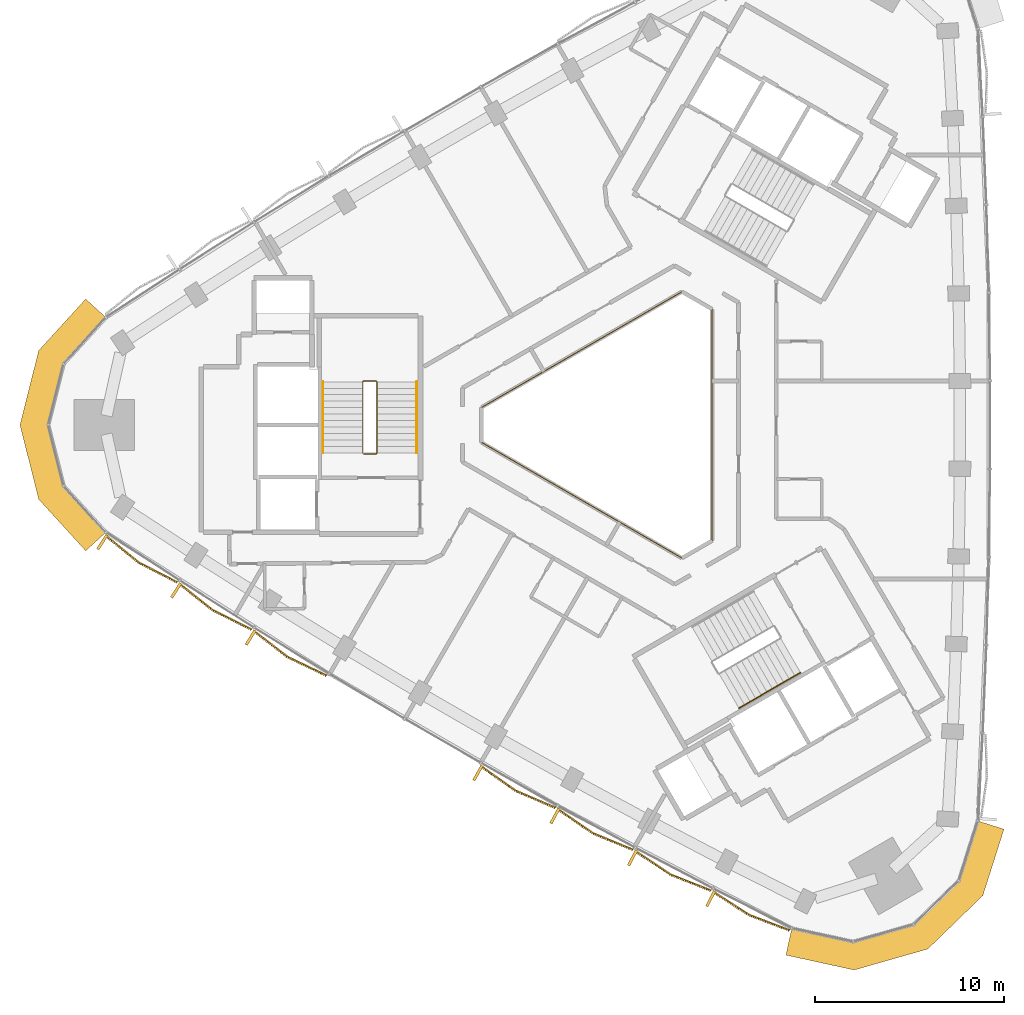
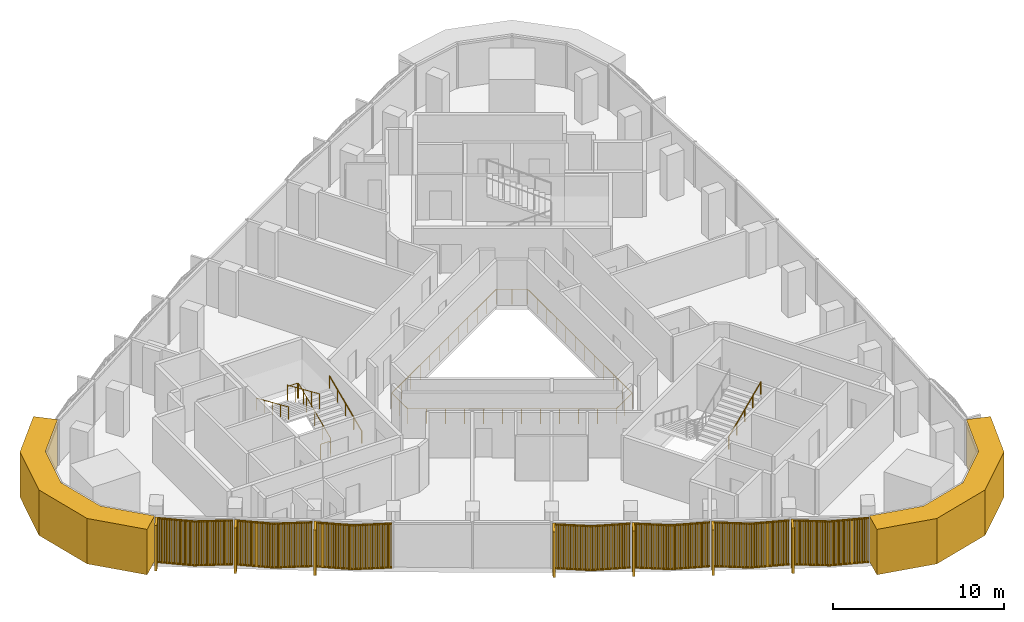
# One storey, part 11 of 13: 9 coverings, 5 railings.
"""IFC4 building model written with IfcOpenShell, lengths in metres."""

from ifc_helpers import new_model, si_unit, direction, frame, frame_2d, origin, origin_2d, place, context, subcontext, project, spatial, polyline, rectangle, circle, outline, extrude, source, transform, mapped, material, layer, layer_set, type_object, element, save


model = new_model("IFC4")

# Units and contexts
model_context = context("Model", 3, precision=1e-05, world=origin(), true_north=direction((0.0, 1.0)))
body_context = subcontext(model_context, "Body", "Model", "MODEL_VIEW")
ifc_project = project(units=[si_unit("LENGTHUNIT", "METRE"), si_unit("AREAUNIT", "SQUARE_METRE"), si_unit("VOLUMEUNIT", "CUBIC_METRE"), si_unit("PLANEANGLEUNIT", "RADIAN"), si_unit("MASSUNIT", "GRAM", prefix="KILO")], contexts=[model_context])

# Site, building, storey
site_placement = place(None, origin())
site = spatial("IfcSite", under=ifc_project, at=site_placement, CompositionType="ELEMENT")
building_placement = place(site_placement, origin())
building = spatial("IfcBuilding", under=site, at=building_placement, Name="Tamra Quay Hotel Tower", CompositionType="ELEMENT")
storey_placement = place(building_placement, frame((0.0, 0.0, 182.800048828125)))
storey = spatial("IfcBuildingStorey", under=building, at=storey_placement, Name="L45", CompositionType="ELEMENT", Elevation=182.800048828125)

# Coverings
ifc_material_1 = material(Name="Precast concrete M60 terracotta-coloured", Category="masonry")
ifc_layer = layer(ifc_material_1, 1.449951171875)
ifc_layer_set = layer_set([ifc_layer], Name="CORNER PIER PANEL")
covering_type_1 = type_object("IfcCoveringType", Name="CORNER PIER PANEL", PredefinedType="CLADDING", material=ifc_layer_set)
covering_1_placement = place(storey_placement, origin())
element("IfcCovering", 1, at=covering_1_placement, inside=storey, type_object=covering_type_1, Name="Corner pier L45.north-west", PredefinedType="CLADDING", context=body_context, shape_type="SweptSolid", body=[
    extrude(outline(polyline([(-27.48046875, 5.68701171875), (-28.55224609375, 6.663818359375), (-31.038818359375, 3.934326171875), (-32.028076171875, 0.0), (-31.038818359375, -3.934326171875), (-28.55224609375, -6.663818359375), (-27.48046875, -5.68701171875), (-29.7216796875, -3.227294921875), (-30.532958984375, 0.0), (-29.7216796875, 3.227294921875), (-27.48046875, 5.68701171875)])), origin(), (0.0, 0.0, 1.0), 3.25),
])
covering_2_placement = place(storey_placement, origin())
element("IfcCovering", 2, at=covering_2_placement, inside=storey, type_object=covering_type_1, Name="Corner pier L45.south-west", PredefinedType="CLADDING", context=body_context, shape_type="SweptSolid", body=[
    extrude(outline(polyline([(8.81494140625, -26.642333984375), (8.505126953125, -28.058837890625), (12.1123046875, -28.84765625), (16.013916015625, -27.737060546875), (18.9267578125, -24.913330078125), (20.047119140625, -21.39501953125), (18.665283203125, -20.955078125), (17.65576171875, -24.1259765625), (15.2666015625, -26.4423828125), (12.06591796875, -27.353271484375), (8.81494140625, -26.642333984375)])), origin(), (0.0, 0.0, 1.0), 3.25),
])

# Railings
ifc_material_2 = material(Name="Guard atrium edge 1100")
railing_type_1 = type_object("IfcRailingType", Name="Guard atrium edge 1100", PredefinedType="GUARDRAIL", material=ifc_material_2)
railing_1_placement = place(storey_placement, frame((4.60009765625, -6.1201171875, 0.0)))
element("IfcRailing", 3, at=railing_1_placement, inside=storey, type_object=railing_type_1, Name="G-A", PredefinedType="GUARDRAIL", context=body_context, shape_type="SweptSolid", body=[
    extrude(circle(Radius=0.02392578125, at=origin_2d()), frame((0.0, 0.0, 1.076171875), z_axis=(-0.86602275259, -0.500004591975, 0.0), x_axis=(0.500004591975, -0.86602275259, 0.0)), (0.0, 0.0, 1.0), 1.84765625),
    extrude(circle(Radius=0.02392578125, at=origin_2d()), frame((-1.60009765625, -0.923828125, 1.076171875), z_axis=(-0.866028806638, 0.499994106039, 0.0), x_axis=(-0.499994106039, -0.866028806638, 0.0)), (0.0, 0.0, 1.0), 12.239990234375),
    extrude(circle(Radius=0.02392578125, at=origin_2d()), frame((-12.2001953125, 5.196044921875, 1.076171875), z_axis=(0.0, 1.0, 0.0), x_axis=(-1.0, 0.0, 0.0)), (0.0, 0.0, 1.0), 1.84814453125),
    extrude(circle(Radius=0.02392578125, at=origin_2d()), frame((-12.2001953125, 7.044189453125, 1.076171875), z_axis=(0.866028806638, 0.499994106039, 0.0), x_axis=(-0.499994106039, 0.866028806638, 0.0)), (0.0, 0.0, 1.0), 12.239990234375),
    extrude(circle(Radius=0.02392578125, at=origin_2d()), frame((-1.60009765625, 13.1640625, 1.076171875), z_axis=(0.86602275259, -0.500004591975, 0.0), x_axis=(0.500004591975, 0.86602275259, 0.0)), (0.0, 0.0, 1.0), 1.84765625),
    extrude(circle(Radius=0.02392578125, at=origin_2d()), frame((0.0, 12.240234375, 1.076171875), z_axis=(0.0, -1.0, 0.0), x_axis=(1.0, 0.0, 0.0)), (0.0, 0.0, 1.0), 12.240234375),
    extrude(circle(Radius=0.02099609375, at=origin_2d()), origin(), (0.0, 0.0, 1.0), 1.052001953125),
    extrude(circle(Radius=0.02099609375, at=origin_2d()), frame((-0.800048828125, -0.4619140625, 0.0)), (0.0, 0.0, 1.0), 1.052001953125),
    extrude(circle(Radius=0.02099609375, at=origin_2d()), frame((-1.60009765625, -0.923828125, 0.0)), (0.0, 0.0, 1.0), 1.052001953125),
    extrude(circle(Radius=0.02099609375, at=origin_2d()), frame((-2.563720703125, -0.367431640625, 0.0)), (0.0, 0.0, 1.0), 1.052001953125),
    extrude(circle(Radius=0.02099609375, at=origin_2d()), frame((-3.52734375, 0.18896484375, 0.0)), (0.0, 0.0, 1.0), 1.052001953125),
    extrude(circle(Radius=0.02099609375, at=origin_2d()), frame((-4.490966796875, 0.7451171875, 0.0)), (0.0, 0.0, 1.0), 1.052001953125),
    extrude(circle(Radius=0.02099609375, at=origin_2d()), frame((-5.45458984375, 1.301513671875, 0.0)), (0.0, 0.0, 1.0), 1.052001953125),
    extrude(circle(Radius=0.02099609375, at=origin_2d()), frame((-6.418212890625, 1.85791015625, 0.0)), (0.0, 0.0, 1.0), 1.052001953125),
    extrude(circle(Radius=0.02099609375, at=origin_2d()), frame((-7.382080078125, 2.414306640625, 0.0)), (0.0, 0.0, 1.0), 1.052001953125),
    extrude(circle(Radius=0.02099609375, at=origin_2d()), frame((-8.345703125, 2.970703125, 0.0)), (0.0, 0.0, 1.0), 1.052001953125),
    extrude(circle(Radius=0.02099609375, at=origin_2d()), frame((-9.309326171875, 3.527099609375, 0.0)), (0.0, 0.0, 1.0), 1.052001953125),
    extrude(circle(Radius=0.02099609375, at=origin_2d()), frame((-10.27294921875, 4.083251953125, 0.0)), (0.0, 0.0, 1.0), 1.052001953125),
    extrude(circle(Radius=0.02099609375, at=origin_2d()), frame((-11.236572265625, 4.6396484375, 0.0)), (0.0, 0.0, 1.0), 1.052001953125),
    extrude(circle(Radius=0.02099609375, at=origin_2d()), frame((-12.2001953125, 5.196044921875, 0.0)), (0.0, 0.0, 1.0), 1.052001953125),
    extrude(circle(Radius=0.02099609375, at=origin_2d()), frame((-12.2001953125, 6.1201171875, 0.0)), (0.0, 0.0, 1.0), 1.052001953125),
    extrude(circle(Radius=0.02099609375, at=origin_2d()), frame((-12.2001953125, 7.044189453125, 0.0)), (0.0, 0.0, 1.0), 1.052001953125),
    extrude(circle(Radius=0.02099609375, at=origin_2d()), frame((-11.236572265625, 7.6005859375, 0.0)), (0.0, 0.0, 1.0), 1.052001953125),
    extrude(circle(Radius=0.02099609375, at=origin_2d()), frame((-10.27294921875, 8.156982421875, 0.0)), (0.0, 0.0, 1.0), 1.052001953125),
    extrude(circle(Radius=0.02099609375, at=origin_2d()), frame((-9.309326171875, 8.713134765625, 0.0)), (0.0, 0.0, 1.0), 1.052001953125),
    extrude(circle(Radius=0.02099609375, at=origin_2d()), frame((-8.345703125, 9.26953125, 0.0)), (0.0, 0.0, 1.0), 1.052001953125),
    extrude(circle(Radius=0.02099609375, at=origin_2d()), frame((-7.382080078125, 9.825927734375, 0.0)), (0.0, 0.0, 1.0), 1.052001953125),
    extrude(circle(Radius=0.02099609375, at=origin_2d()), frame((-6.418212890625, 10.38232421875, 0.0)), (0.0, 0.0, 1.0), 1.052001953125),
    extrude(circle(Radius=0.02099609375, at=origin_2d()), frame((-5.45458984375, 10.938720703125, 0.0)), (0.0, 0.0, 1.0), 1.052001953125),
    extrude(circle(Radius=0.02099609375, at=origin_2d()), frame((-4.490966796875, 11.4951171875, 0.0)), (0.0, 0.0, 1.0), 1.052001953125),
    extrude(circle(Radius=0.02099609375, at=origin_2d()), frame((-3.52734375, 12.05126953125, 0.0)), (0.0, 0.0, 1.0), 1.052001953125),
    extrude(circle(Radius=0.02099609375, at=origin_2d()), frame((-2.563720703125, 12.607666015625, 0.0)), (0.0, 0.0, 1.0), 1.052001953125),
    extrude(circle(Radius=0.02099609375, at=origin_2d()), frame((-1.60009765625, 13.1640625, 0.0)), (0.0, 0.0, 1.0), 1.052001953125),
    extrude(circle(Radius=0.02099609375, at=origin_2d()), frame((-0.800048828125, 12.7021484375, 0.0)), (0.0, 0.0, 1.0), 1.052001953125),
    extrude(circle(Radius=0.02099609375, at=origin_2d()), frame((0.0, 12.240234375, 0.0)), (0.0, 0.0, 1.0), 1.052001953125),
    extrude(circle(Radius=0.02099609375, at=origin_2d()), frame((0.0, 11.12744140625, 0.0)), (0.0, 0.0, 1.0), 1.052001953125),
    extrude(circle(Radius=0.02099609375, at=origin_2d()), frame((0.0, 10.0146484375, 0.0)), (0.0, 0.0, 1.0), 1.052001953125),
    extrude(circle(Radius=0.02099609375, at=origin_2d()), frame((0.0, 8.902099609375, 0.0)), (0.0, 0.0, 1.0), 1.052001953125),
    extrude(circle(Radius=0.02099609375, at=origin_2d()), frame((0.0, 7.789306640625, 0.0)), (0.0, 0.0, 1.0), 1.052001953125),
    extrude(circle(Radius=0.02099609375, at=origin_2d()), frame((0.0, 6.676513671875, 0.0)), (0.0, 0.0, 1.0), 1.052001953125),
    extrude(circle(Radius=0.02099609375, at=origin_2d()), frame((0.0, 5.563720703125, 0.0)), (0.0, 0.0, 1.0), 1.052001953125),
    extrude(circle(Radius=0.02099609375, at=origin_2d()), frame((0.0, 4.450927734375, 0.0)), (0.0, 0.0, 1.0), 1.052001953125),
    extrude(circle(Radius=0.02099609375, at=origin_2d()), frame((0.0, 3.338134765625, 0.0)), (0.0, 0.0, 1.0), 1.052001953125),
    extrude(circle(Radius=0.02099609375, at=origin_2d()), frame((0.0, 2.2255859375, 0.0)), (0.0, 0.0, 1.0), 1.052001953125),
    extrude(circle(Radius=0.02099609375, at=origin_2d()), frame((0.0, 1.11279296875, 0.0)), (0.0, 0.0, 1.0), 1.052001953125),
])
ifc_material_3 = material(Name="Stair guard 1100")
railing_type_2 = type_object("IfcRailingType", Name="Stair guard 1100", PredefinedType="GUARDRAIL", material=ifc_material_3)
railing_2_placement = place(storey_placement, frame((-13.84130859375, -1.530029296875, 0.0)))
element("IfcRailing", 4, at=railing_2_placement, inside=storey, type_object=railing_type_2, Name="GR", PredefinedType="GUARDRAIL", context=body_context, shape_type="SweptSolid", body=[
    extrude(circle(Radius=0.02392578125, at=origin_2d()), frame((0.0, 0.0, 1.076171875), z_axis=(1.0, 0.0, 0.0), x_axis=(0.0, 1.0, 0.0)), (0.0, 0.0, 1.0), 0.658935546875),
    extrude(circle(Radius=0.02392578125, at=origin_2d()), frame((0.658935546875, 0.0, 1.076171875), z_axis=(0.301912943143, 0.301912943143, 0.904266083366), x_axis=(-0.707106781187, 0.707106781187, 0.0)), (0.0, 0.0, 1.0), 0.165771484375),
    extrude(circle(Radius=0.02392578125, at=origin_2d()), frame((0.708984375, 0.050048828125, 1.22607421875), z_axis=(0.0, 0.915773634228, 0.401694723457), x_axis=(-1.0, 0.0, 0.0)), (0.0, 0.0, 1.0), 4.10791015625),
    extrude(circle(Radius=0.02392578125, at=origin_2d()), frame((0.708984375, 3.81201171875, 2.8759765625), z_axis=(-0.708833529934, 0.705375805398, 0.0), x_axis=(-0.705375805398, -0.708833529934, 0.0)), (0.0, 0.0, 1.0), 0.070556640625),
    extrude(circle(Radius=0.02392578125, at=origin_2d()), frame((0.658935546875, 3.86181640625, 2.8759765625), z_axis=(-1.0, 0.0, 0.0), x_axis=(0.0, -1.0, 0.0)), (0.0, 0.0, 1.0), 0.658935546875),
    extrude(circle(Radius=0.02392578125, at=origin_2d()), frame((0.0, 3.86181640625, 2.8759765625), z_axis=(-0.302046947789, -0.300573548044, 0.904667443621), x_axis=(0.705375805398, -0.708833529934, 0.0)), (0.0, 0.0, 1.0), 0.165771484375),
    extrude(circle(Radius=0.02392578125, at=origin_2d()), frame((-0.050048828125, 3.81201171875, 3.02587890625), z_axis=(0.0, -0.915795495799, 0.401644880304), x_axis=(1.0, 0.0, 0.0)), (0.0, 0.0, 1.0), 4.10791015625),
    extrude(circle(Radius=0.02099609375, at=origin_2d()), origin(), (0.0, 0.0, 1.0), 1.052001953125),
    extrude(circle(Radius=0.02099609375, at=origin_2d()), frame((0.658935546875, 0.0, 0.0)), (0.0, 0.0, 1.0), 1.052001953125),
    extrude(circle(Radius=0.02099609375, at=origin_2d()), frame((0.708984375, 0.050048828125, 0.14990234375)), (0.0, 0.0, 1.0), 1.052001953125),
    extrude(circle(Radius=0.02099609375, at=origin_2d()), frame((0.708984375, 0.990478515625, 0.5625)), (0.0, 0.0, 1.0), 1.052001953125),
    extrude(circle(Radius=0.02099609375, at=origin_2d()), frame((0.708984375, 1.93115234375, 0.97509765625)), (0.0, 0.0, 1.0), 1.052001953125),
    extrude(circle(Radius=0.02099609375, at=origin_2d()), frame((0.708984375, 2.87158203125, 1.387451171875)), (0.0, 0.0, 1.0), 1.052001953125),
    extrude(circle(Radius=0.02099609375, at=origin_2d()), frame((0.708984375, 3.81201171875, 1.800048828125)), (0.0, 0.0, 1.0), 1.052001953125),
    extrude(circle(Radius=0.02099609375, at=origin_2d()), frame((0.658935546875, 3.86181640625, 1.800048828125)), (0.0, 0.0, 1.0), 1.052001953125),
    extrude(circle(Radius=0.02099609375, at=origin_2d()), frame((0.0, 3.86181640625, 1.800048828125)), (0.0, 0.0, 1.0), 1.052001953125),
    extrude(circle(Radius=0.02099609375, at=origin_2d()), frame((-0.050048828125, 3.81201171875, 1.949951171875)), (0.0, 0.0, 1.0), 1.052001953125),
    extrude(circle(Radius=0.02099609375, at=origin_2d()), frame((-0.050048828125, 2.87158203125, 2.3623046875)), (0.0, 0.0, 1.0), 1.052001953125),
    extrude(circle(Radius=0.02099609375, at=origin_2d()), frame((-0.050048828125, 1.93115234375, 2.77490234375)), (0.0, 0.0, 1.0), 1.052001953125),
    extrude(circle(Radius=0.02099609375, at=origin_2d()), frame((-0.050048828125, 0.990478515625, 3.1875)), (0.0, 0.0, 1.0), 1.052001953125),
    extrude(circle(Radius=0.02099609375, at=origin_2d()), frame((-0.050048828125, 0.050048828125, 3.599853515625)), (0.0, 0.0, 1.0), 1.052001953125),
])
ifc_material_4 = material(Name="Stair handrail 900")
railing_type_3 = type_object("IfcRailingType", Name="Stair handrail 900", PredefinedType="HANDRAIL", material=ifc_material_4)
railing_3_placement = place(storey_placement, frame((-11.0322265625, -1.47998046875, 0.14990234375)))
element("IfcRailing", 5, at=railing_3_placement, inside=storey, type_object=railing_type_3, Name="HR", PredefinedType="HANDRAIL", context=body_context, shape_type="SweptSolid", body=[
    extrude(circle(Radius=0.02392578125, at=origin_2d()), frame((0.0, 0.0, 0.8759765625), z_axis=(0.0, 0.915773634228, 0.401694723457), x_axis=(-1.0, 0.0, 0.0)), (0.0, 0.0, 1.0), 4.10791015625),
    extrude(circle(Radius=0.02099609375, at=origin_2d()), origin(), (0.0, 0.0, 1.0), 0.851806640625),
    extrude(circle(Radius=0.02099609375, at=origin_2d()), frame((0.0, 0.9404296875, 0.41259765625)), (0.0, 0.0, 1.0), 0.851806640625),
    extrude(circle(Radius=0.02099609375, at=origin_2d()), frame((0.0, 1.880859375, 0.8251953125)), (0.0, 0.0, 1.0), 0.851806640625),
    extrude(circle(Radius=0.02099609375, at=origin_2d()), frame((0.0, 2.821533203125, 1.237548828125)), (0.0, 0.0, 1.0), 0.851806640625),
    extrude(circle(Radius=0.02099609375, at=origin_2d()), frame((0.0, 3.761962890625, 1.650146484375)), (0.0, 0.0, 1.0), 0.851806640625),
])
railing_4_placement = place(storey_placement, frame((-15.9912109375, 2.281982421875, 1.949951171875)))
element("IfcRailing", 6, at=railing_4_placement, inside=storey, type_object=railing_type_3, Name="HR", PredefinedType="HANDRAIL", context=body_context, shape_type="SweptSolid", body=[
    extrude(circle(Radius=0.02392578125, at=origin_2d()), frame((0.0, 0.0, 0.8759765625), z_axis=(0.0, -0.915795495799, 0.401644880304), x_axis=(1.0, 0.0, 0.0)), (0.0, 0.0, 1.0), 4.10791015625),
    extrude(circle(Radius=0.02099609375, at=origin_2d()), origin(), (0.0, 0.0, 1.0), 0.851806640625),
    extrude(circle(Radius=0.02099609375, at=origin_2d()), frame((0.0, -0.9404296875, 0.41259765625)), (0.0, 0.0, 1.0), 0.851806640625),
    extrude(circle(Radius=0.02099609375, at=origin_2d()), frame((0.0, -1.880859375, 0.824951171875)), (0.0, 0.0, 1.0), 0.851806640625),
    extrude(circle(Radius=0.02099609375, at=origin_2d()), frame((0.0, -2.821533203125, 1.2373046875)), (0.0, 0.0, 1.0), 0.851806640625),
    extrude(circle(Radius=0.02099609375, at=origin_2d()), frame((0.0, -3.761962890625, 1.64990234375)), (0.0, 0.0, 1.0), 0.851806640625),
])
railing_5_placement = place(storey_placement, frame((6.01953125, -14.98974609375, 1.949951171875)))
element("IfcRailing", 7, at=railing_5_placement, inside=storey, type_object=railing_type_3, Name="HR", PredefinedType="HANDRAIL", context=body_context, shape_type="SweptSolid", body=[
    extrude(circle(Radius=0.02392578125, at=origin_2d()), frame((0.0, 0.0, 0.8759765625), z_axis=(0.79310004713, 0.457886897714, 0.401661429744), x_axis=(-0.499992114976, 0.866029956157, 0.0)), (0.0, 0.0, 1.0), 4.107666015625),
    extrude(circle(Radius=0.02099609375, at=origin_2d()), origin(), (0.0, 0.0, 1.0), 0.851806640625),
    extrude(circle(Radius=0.02099609375, at=origin_2d()), frame((0.814453125, 0.47021484375, 0.41259765625)), (0.0, 0.0, 1.0), 0.851806640625),
    extrude(circle(Radius=0.02099609375, at=origin_2d()), frame((1.62890625, 0.9404296875, 0.824951171875)), (0.0, 0.0, 1.0), 0.851806640625),
    extrude(circle(Radius=0.02099609375, at=origin_2d()), frame((2.443359375, 1.41064453125, 1.2373046875)), (0.0, 0.0, 1.0), 0.851806640625),
    extrude(circle(Radius=0.02099609375, at=origin_2d()), frame((3.2578125, 1.880859375, 1.64990234375)), (0.0, 0.0, 1.0), 0.851806640625),
])

# Coverings
ifc_material_5 = material(Name="Terracotta baguette extruded", Category="masonry")
covering_type_2 = type_object("IfcCoveringType", Name="BAGUETTE SCREEN SW-V H3250", PredefinedType="USERDEFINED", material=ifc_material_5)
shared_shape = source(origin(), body_context, "Body", "SweptSolid", [
    extrude(rectangle(XDim=2.295166015625, YDim=0.06005859375, at=frame_2d((1.1474609375, 0.030029296875))), frame((-2.288818359375, -0.0576171875, -0.1201171875), z_axis=(0.0, 0.0, 1.0), x_axis=(0.994521895368, -0.104528463268, 0.0)), (0.0, 0.0, 1.0), 0.1201171875),
    extrude(rectangle(XDim=2.295166015625, YDim=0.06005859375, at=frame_2d((1.1474609375, 0.030029296875))), frame((-2.288818359375, -0.0576171875, -3.25), z_axis=(0.0, 0.0, 1.0), x_axis=(0.994521895368, -0.104528463268, 0.0)), (0.0, 0.0, 1.0), 0.1201171875),
    extrude(rectangle(XDim=0.070068359375, YDim=0.10009765625, at=frame_2d((0.03515625, 0.050048828125))), frame((-2.267822265625, -0.13330078125, -3.18994140625)), (0.0, 0.0, 1.0), 3.1298828125),
    extrude(rectangle(XDim=0.070068359375, YDim=0.10009765625, at=frame_2d((0.03515625, 0.050048828125))), frame((-2.168701171875, -0.1435546875, -3.18994140625)), (0.0, 0.0, 1.0), 3.1298828125),
    extrude(rectangle(XDim=0.070068359375, YDim=0.10009765625, at=frame_2d((0.03515625, 0.050048828125))), frame((-2.0693359375, -0.154052734375, -3.18994140625)), (0.0, 0.0, 1.0), 3.1298828125),
    extrude(rectangle(XDim=0.070068359375, YDim=0.10009765625, at=frame_2d((0.03515625, 0.050048828125))), frame((-1.97021484375, -0.16455078125, -3.18994140625)), (0.0, 0.0, 1.0), 3.1298828125),
    extrude(rectangle(XDim=0.070068359375, YDim=0.10009765625, at=frame_2d((0.03515625, 0.050048828125))), frame((-1.870849609375, -0.175048828125, -3.18994140625)), (0.0, 0.0, 1.0), 3.1298828125),
    extrude(rectangle(XDim=0.070068359375, YDim=0.10009765625, at=frame_2d((0.03515625, 0.050048828125))), frame((-1.771728515625, -0.185302734375, -3.18994140625)), (0.0, 0.0, 1.0), 3.1298828125),
    extrude(rectangle(XDim=0.070068359375, YDim=0.10009765625, at=frame_2d((0.03515625, 0.050048828125))), frame((-1.67236328125, -0.19580078125, -3.18994140625)), (0.0, 0.0, 1.0), 3.1298828125),
    extrude(rectangle(XDim=0.070068359375, YDim=0.10009765625, at=frame_2d((0.03515625, 0.050048828125))), frame((-1.5732421875, -0.206298828125, -3.18994140625)), (0.0, 0.0, 1.0), 3.1298828125),
    extrude(rectangle(XDim=0.070068359375, YDim=0.10009765625, at=frame_2d((0.03515625, 0.050048828125))), frame((-1.473876953125, -0.216552734375, -3.18994140625)), (0.0, 0.0, 1.0), 3.1298828125),
    extrude(rectangle(XDim=0.070068359375, YDim=0.10009765625, at=frame_2d((0.03515625, 0.050048828125))), frame((-1.374755859375, -0.22705078125, -3.18994140625)), (0.0, 0.0, 1.0), 3.1298828125),
    extrude(rectangle(XDim=0.070068359375, YDim=0.10009765625, at=frame_2d((0.03515625, 0.050048828125))), frame((-1.275390625, -0.237548828125, -3.18994140625)), (0.0, 0.0, 1.0), 3.1298828125),
    extrude(rectangle(XDim=0.070068359375, YDim=0.10009765625, at=frame_2d((0.03515625, 0.050048828125))), frame((-1.17626953125, -0.248046875, -3.18994140625)), (0.0, 0.0, 1.0), 3.1298828125),
    extrude(rectangle(XDim=0.070068359375, YDim=0.10009765625, at=frame_2d((0.03515625, 0.050048828125))), frame((-1.076904296875, -0.25830078125, -3.18994140625)), (0.0, 0.0, 1.0), 3.1298828125),
    extrude(rectangle(XDim=0.070068359375, YDim=0.10009765625, at=frame_2d((0.03515625, 0.050048828125))), frame((-0.977783203125, -0.268798828125, -3.18994140625)), (0.0, 0.0, 1.0), 3.1298828125),
    extrude(rectangle(XDim=0.070068359375, YDim=0.10009765625, at=frame_2d((0.03515625, 0.050048828125))), frame((-0.87841796875, -0.279296875, -3.18994140625)), (0.0, 0.0, 1.0), 3.1298828125),
    extrude(rectangle(XDim=0.070068359375, YDim=0.10009765625, at=frame_2d((0.03515625, 0.050048828125))), frame((-0.779296875, -0.28955078125, -3.18994140625)), (0.0, 0.0, 1.0), 3.1298828125),
    extrude(rectangle(XDim=0.070068359375, YDim=0.10009765625, at=frame_2d((0.03515625, 0.050048828125))), frame((-0.679931640625, -0.300048828125, -3.18994140625)), (0.0, 0.0, 1.0), 3.1298828125),
    extrude(rectangle(XDim=0.070068359375, YDim=0.10009765625, at=frame_2d((0.03515625, 0.050048828125))), frame((-0.580810546875, -0.310546875, -3.18994140625)), (0.0, 0.0, 1.0), 3.1298828125),
    extrude(rectangle(XDim=0.070068359375, YDim=0.10009765625, at=frame_2d((0.03515625, 0.050048828125))), frame((-0.481689453125, -0.321044921875, -3.18994140625)), (0.0, 0.0, 1.0), 3.1298828125),
    extrude(rectangle(XDim=0.070068359375, YDim=0.10009765625, at=frame_2d((0.03515625, 0.050048828125))), frame((-0.38232421875, -0.331298828125, -3.18994140625)), (0.0, 0.0, 1.0), 3.1298828125),
    extrude(rectangle(XDim=0.070068359375, YDim=0.10009765625, at=frame_2d((0.03515625, 0.050048828125))), frame((-0.283203125, -0.341796875, -3.18994140625)), (0.0, 0.0, 1.0), 3.1298828125),
    extrude(rectangle(XDim=0.070068359375, YDim=0.10009765625, at=frame_2d((0.03515625, 0.050048828125))), frame((-0.183837890625, -0.352294921875, -3.18994140625)), (0.0, 0.0, 1.0), 3.1298828125),
    extrude(rectangle(XDim=0.070068359375, YDim=0.10009765625, at=frame_2d((0.03515625, 0.050048828125))), frame((-0.084716796875, -0.36279296875, -3.18994140625)), (0.0, 0.0, 1.0), 3.1298828125),
    extrude(rectangle(XDim=2.295166015625, YDim=0.06005859375, at=frame_2d((1.1474609375, 0.030029296875))), frame((0.00634765625, -0.297607421875, -0.1201171875), z_axis=(0.0, 0.0, 1.0), x_axis=(0.994521895368, 0.104528463268, 0.0)), (0.0, 0.0, 1.0), 0.1201171875),
    extrude(rectangle(XDim=2.295166015625, YDim=0.06005859375, at=frame_2d((1.1474609375, 0.030029296875))), frame((0.00634765625, -0.297607421875, -3.25), z_axis=(0.0, 0.0, 1.0), x_axis=(0.994521895368, 0.104528463268, 0.0)), (0.0, 0.0, 1.0), 0.1201171875),
    extrude(rectangle(XDim=0.070068359375, YDim=0.10009765625, at=frame_2d((0.03515625, 0.050048828125))), frame((0.0146484375, -0.36279296875, -3.18994140625)), (0.0, 0.0, 1.0), 3.1298828125),
    extrude(rectangle(XDim=0.070068359375, YDim=0.10009765625, at=frame_2d((0.03515625, 0.050048828125))), frame((0.11376953125, -0.352294921875, -3.18994140625)), (0.0, 0.0, 1.0), 3.1298828125),
    extrude(rectangle(XDim=0.070068359375, YDim=0.10009765625, at=frame_2d((0.03515625, 0.050048828125))), frame((0.213134765625, -0.341796875, -3.18994140625)), (0.0, 0.0, 1.0), 3.1298828125),
    extrude(rectangle(XDim=0.070068359375, YDim=0.10009765625, at=frame_2d((0.03515625, 0.050048828125))), frame((0.312255859375, -0.331298828125, -3.18994140625)), (0.0, 0.0, 1.0), 3.1298828125),
    extrude(rectangle(XDim=0.070068359375, YDim=0.10009765625, at=frame_2d((0.03515625, 0.050048828125))), frame((0.41162109375, -0.321044921875, -3.18994140625)), (0.0, 0.0, 1.0), 3.1298828125),
    extrude(rectangle(XDim=0.070068359375, YDim=0.10009765625, at=frame_2d((0.03515625, 0.050048828125))), frame((0.5107421875, -0.310546875, -3.18994140625)), (0.0, 0.0, 1.0), 3.1298828125),
    extrude(rectangle(XDim=0.070068359375, YDim=0.10009765625, at=frame_2d((0.03515625, 0.050048828125))), frame((0.610107421875, -0.300048828125, -3.18994140625)), (0.0, 0.0, 1.0), 3.1298828125),
    extrude(rectangle(XDim=0.070068359375, YDim=0.10009765625, at=frame_2d((0.03515625, 0.050048828125))), frame((0.709228515625, -0.28955078125, -3.18994140625)), (0.0, 0.0, 1.0), 3.1298828125),
    extrude(rectangle(XDim=0.070068359375, YDim=0.10009765625, at=frame_2d((0.03515625, 0.050048828125))), frame((0.80859375, -0.279296875, -3.18994140625)), (0.0, 0.0, 1.0), 3.1298828125),
    extrude(rectangle(XDim=0.070068359375, YDim=0.10009765625, at=frame_2d((0.03515625, 0.050048828125))), frame((0.90771484375, -0.268798828125, -3.18994140625)), (0.0, 0.0, 1.0), 3.1298828125),
    extrude(rectangle(XDim=0.070068359375, YDim=0.10009765625, at=frame_2d((0.03515625, 0.050048828125))), frame((1.007080078125, -0.25830078125, -3.18994140625)), (0.0, 0.0, 1.0), 3.1298828125),
    extrude(rectangle(XDim=0.070068359375, YDim=0.10009765625, at=frame_2d((0.03515625, 0.050048828125))), frame((1.106201171875, -0.248046875, -3.18994140625)), (0.0, 0.0, 1.0), 3.1298828125),
    extrude(rectangle(XDim=0.070068359375, YDim=0.10009765625, at=frame_2d((0.03515625, 0.050048828125))), frame((1.20556640625, -0.237548828125, -3.18994140625)), (0.0, 0.0, 1.0), 3.1298828125),
    extrude(rectangle(XDim=0.070068359375, YDim=0.10009765625, at=frame_2d((0.03515625, 0.050048828125))), frame((1.3046875, -0.22705078125, -3.18994140625)), (0.0, 0.0, 1.0), 3.1298828125),
    extrude(rectangle(XDim=0.070068359375, YDim=0.10009765625, at=frame_2d((0.03515625, 0.050048828125))), frame((1.404052734375, -0.216552734375, -3.18994140625)), (0.0, 0.0, 1.0), 3.1298828125),
    extrude(rectangle(XDim=0.070068359375, YDim=0.10009765625, at=frame_2d((0.03515625, 0.050048828125))), frame((1.503173828125, -0.206298828125, -3.18994140625)), (0.0, 0.0, 1.0), 3.1298828125),
    extrude(rectangle(XDim=0.070068359375, YDim=0.10009765625, at=frame_2d((0.03515625, 0.050048828125))), frame((1.6025390625, -0.19580078125, -3.18994140625)), (0.0, 0.0, 1.0), 3.1298828125),
    extrude(rectangle(XDim=0.070068359375, YDim=0.10009765625, at=frame_2d((0.03515625, 0.050048828125))), frame((1.70166015625, -0.185302734375, -3.18994140625)), (0.0, 0.0, 1.0), 3.1298828125),
    extrude(rectangle(XDim=0.070068359375, YDim=0.10009765625, at=frame_2d((0.03515625, 0.050048828125))), frame((1.801025390625, -0.175048828125, -3.18994140625)), (0.0, 0.0, 1.0), 3.1298828125),
    extrude(rectangle(XDim=0.070068359375, YDim=0.10009765625, at=frame_2d((0.03515625, 0.050048828125))), frame((1.900146484375, -0.16455078125, -3.18994140625)), (0.0, 0.0, 1.0), 3.1298828125),
    extrude(rectangle(XDim=0.070068359375, YDim=0.10009765625, at=frame_2d((0.03515625, 0.050048828125))), frame((1.99951171875, -0.154052734375, -3.18994140625)), (0.0, 0.0, 1.0), 3.1298828125),
    extrude(rectangle(XDim=0.070068359375, YDim=0.10009765625, at=frame_2d((0.03515625, 0.050048828125))), frame((2.0986328125, -0.1435546875, -3.18994140625)), (0.0, 0.0, 1.0), 3.1298828125),
    extrude(rectangle(XDim=0.070068359375, YDim=0.10009765625, at=frame_2d((0.03515625, 0.050048828125))), frame((2.197998046875, -0.13330078125, -3.18994140625)), (0.0, 0.0, 1.0), 3.1298828125),
    extrude(rectangle(XDim=0.14990234375, YDim=0.902099609375, at=frame_2d((0.074951171875, 0.451171875))), frame((-2.282470703125, -0.89990234375, -3.25)), (0.0, 0.0, 1.0), 3.25),
])
for number, where, z_axis, x_axis, name in (
    (8, (-25.57861328125, -7.03564453125, 3.25), (0.0, 0.0, 1.0), (0.836986092194, -0.54722416017, 0.0), "Baguette screen L45.SW.f00"),
    (9, (-21.659912109375, -9.55908203125, 3.25), (0.0, 0.0, 1.0), (0.844475815543, -0.535593686448, 0.0), "Baguette screen L45.SW.f01"),
    (10, (-17.70703125, -12.028076171875, 3.25), (0.0, 0.0, 1.0), (0.851814958055, -0.523842798207, 0.0), "Baguette screen L45.SW.f02"),
    (11, (-5.64697265625, -19.10302734375, 3.25), (0.0, 0.0, 1.0), (0.872884903026, -0.487926168665, 0.0), "Baguette screen L45.SW.f05"),
    (12, (-1.563232421875, -21.3486328125, 3.25), (0.0, 0.0, 1.0), (0.879568649865, -0.475771993896, 0.0), "Baguette screen L45.SW.f06"),
    (13, (2.551513671875, -23.53759765625, 3.25), (0.0, 0.0, 1.0), (0.886075646342, -0.463540665918, 0.0), "Baguette screen L45.SW.f07"),
    (14, (6.6962890625, -25.66943359375, 3.25), (0.0, 0.0, 1.0), (0.892403070369, -0.451239138369, 0.0), "Baguette screen L45.SW.f08"),
):
    element("IfcCovering", number, at=place(storey_placement, frame(where, z_axis=z_axis, x_axis=x_axis)), inside=storey, type_object=covering_type_2, Name=name, ObjectType="BAGUETTE SCREEN", PredefinedType="USERDEFINED", context=body_context, shape_type="MappedRepresentation", body=[
        mapped(shared_shape, transform((0.0, 0.0, 0.0), scale=1.0)),
    ])

save(model, "model.ifc")
